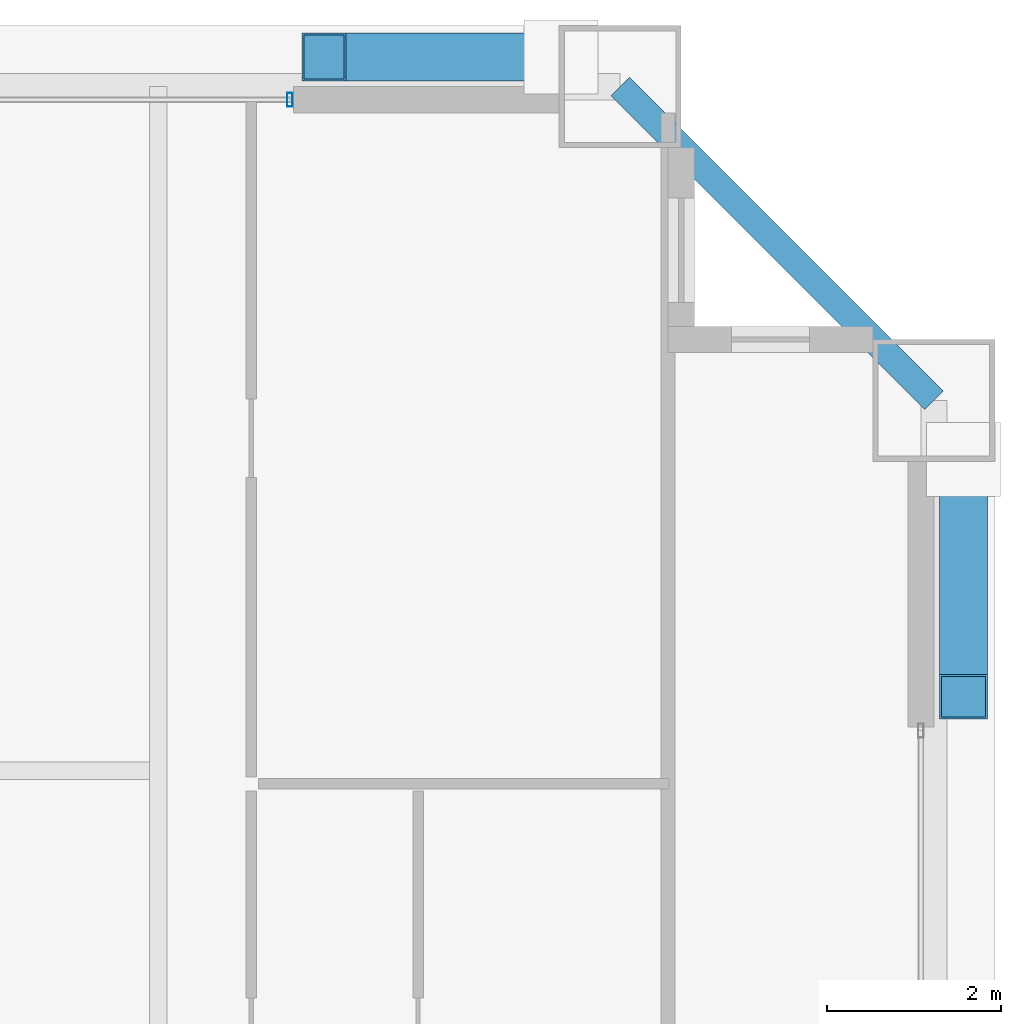
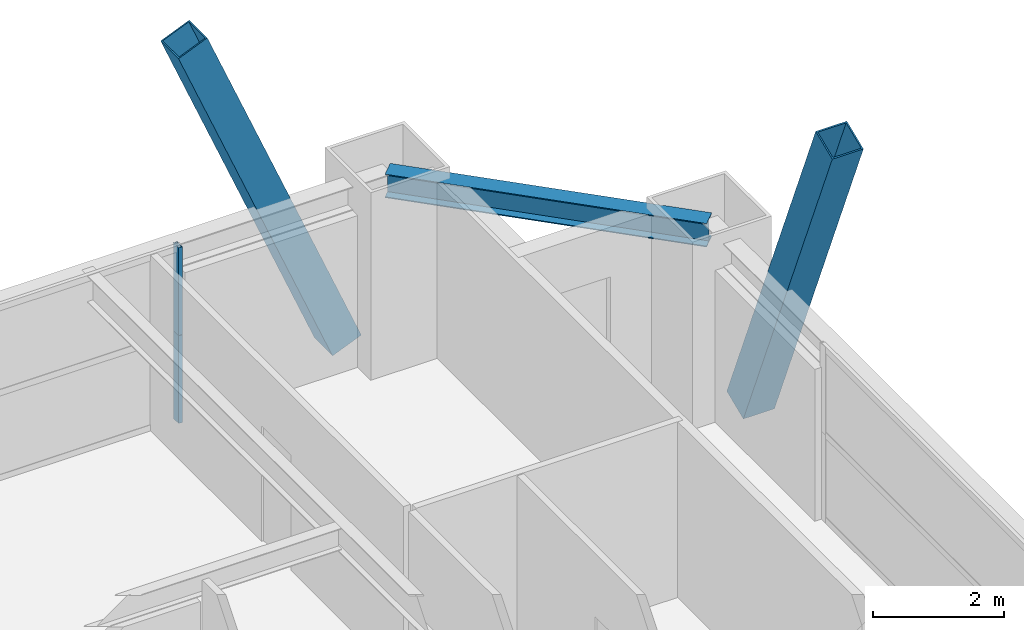
# One storey, part 35 of 42: 4 members, 1 beam, 1 element without a shape of its own.
"""IFC4 building model written with IfcOpenShell, lengths in metres."""

import ifcopenshell
import ifcopenshell.guid

model = None  # the IFC model being written
_history = None  # IfcOwnerHistory: only IFC2X3 demands one
_inside = {}  # id of a spatial element -> (the spatial element, [elements in it])
_under = {}  # id of a project, library or spatial element -> (it, [spatial elements below it])
_declared = {}  # id of a project -> (the project, [libraries it declares])
_typed = {}  # id of a type object -> (the type object, [elements of that type])
_made_of = {}  # id of a material, layer set ... -> (it, [elements and type objects made of it])


def new_model(schema):
    """Start an empty IFC model of exactly this schema.

    Asked for "IFC4X3", IfcOpenShell would pick the latest addendum, in which some entities
    have other attributes; the version numbers below select the first issue.
    IFC2X3 requires an IfcOwnerHistory on every rooted entity: one is made here for all.
    """
    global model, _history
    if schema == "IFC4X3":
        model = ifcopenshell.file(schema_version=(4, 3, 0, 0))
    else:
        model = ifcopenshell.file(schema=schema)
    _inside.clear()
    _under.clear()
    _declared.clear()
    _typed.clear()
    _made_of.clear()
    _history = None
    if model.schema == "IFC2X3":
        org = make("IfcOrganization", Name="unknown")
        user = make(
            "IfcPersonAndOrganization",
            ThePerson=make("IfcPerson", FamilyName="unknown"),
            TheOrganization=org,
        )
        app = make(
            "IfcApplication",
            ApplicationDeveloper=org,
            Version="unknown",
            ApplicationFullName="unknown",
            ApplicationIdentifier="unknown",
        )
        _history = make(
            "IfcOwnerHistory",
            OwningUser=user,
            OwningApplication=app,
            ChangeAction="ADDED",
            CreationDate=0,
        )
    return model


def make(cls, **values):
    """One entity of the class cls with the attributes given. An attribute that is None is left unset."""
    return model.create_entity(
        cls, **{name: value for name, value in values.items() if value is not None}
    )


def rooted(cls, **values):
    """An entity with a GlobalId (a new one), such as an element, a storey or a relation."""
    return make(cls, GlobalId=ifcopenshell.guid.new(), OwnerHistory=_history, **values)


def si_unit(unit_type, name, prefix=None):
    """IfcSIUnit, for example si_unit("LENGTHUNIT", "METRE", prefix="MILLI")."""
    return make("IfcSIUnit", UnitType=unit_type, Prefix=prefix, Name=name)


def assignment(units):
    """IfcUnitAssignment: the units of a project."""
    return None if units is None else make("IfcUnitAssignment", Units=units)


def point(xyz):
    """IfcCartesianPoint."""
    return None if xyz is None else make("IfcCartesianPoint", Coordinates=xyz)


def direction(xyz):
    """IfcDirection."""
    return None if xyz is None else make("IfcDirection", DirectionRatios=xyz)


def frame(location, z_axis=None, x_axis=None):
    """IfcAxis2Placement3D, a coordinate frame: its origin and axes. An axis left out is left unset."""
    return make(
        "IfcAxis2Placement3D",
        Location=point(location),
        Axis=direction(z_axis),
        RefDirection=direction(x_axis),
    )


def frame_2d(location, x_axis=None):
    """IfcAxis2Placement2D, a coordinate frame in the plane: its origin and x axis."""
    return make(
        "IfcAxis2Placement2D", Location=point(location), RefDirection=direction(x_axis)
    )


def origin():
    """The frame at (0, 0, 0) with its axes left unset."""
    return frame((0.0, 0.0, 0.0))


def origin_2d():
    """The frame at (0, 0) in the plane with its x axis left unset."""
    return frame_2d((0.0, 0.0))


def place(relative_to, where):
    """IfcLocalPlacement: puts the frame where relative to a parent placement (None: the world)."""
    return make(
        "IfcLocalPlacement", PlacementRelTo=relative_to, RelativePlacement=where
    )


def context(
    kind, dimensions, precision=None, world=None, true_north=None, identifier=None
):
    """IfcGeometricRepresentationContext, for example the 3D "Model" context."""
    return make(
        "IfcGeometricRepresentationContext",
        ContextIdentifier=identifier,
        ContextType=kind,
        CoordinateSpaceDimension=dimensions,
        Precision=precision,
        WorldCoordinateSystem=world,
        TrueNorth=true_north,
    )


def subcontext(parent, identifier, kind, view, scale=None):
    """IfcGeometricRepresentationSubContext, for example "Body" below "Model"."""
    return make(
        "IfcGeometricRepresentationSubContext",
        ContextIdentifier=identifier,
        ContextType=kind,
        ParentContext=parent,
        TargetScale=scale,
        TargetView=view,
    )


def project(units=None, contexts=None):
    """IfcProject with its units and contexts."""
    return rooted(
        "IfcProject",
        Name="project",
        RepresentationContexts=contexts,
        UnitsInContext=assignment(units),
    )


def spatial(cls, under=None, at=None, **own):
    """A site, building, storey or space (cls), placed at a placement, below another one or the project."""
    s = rooted(cls, ObjectPlacement=at, **own)
    if under is not None:
        _under.setdefault(under.id(), (under, []))[1].append(s)
    return s


def profile(cls, at=None, kind="AREA", **sizes):
    """A parametric profile (cls). Its sizes go by their IFC names, for example OverallWidth=200.0."""
    return make(cls, ProfileType=kind, Position=at, **sizes)


def hollow_rectangle(**sizes):
    """IfcRectangleHollowProfileDef."""
    return profile("IfcRectangleHollowProfileDef", **sizes)


def i_section(**sizes):
    """IfcIShapeProfileDef."""
    return profile("IfcIShapeProfileDef", **sizes)


def extrude(swept, where, along, depth):
    """IfcExtrudedAreaSolid: the profile swept, set in the frame where, extruded along a direction by depth."""
    return make(
        "IfcExtrudedAreaSolid",
        SweptArea=swept,
        Position=where,
        ExtrudedDirection=direction(along),
        Depth=depth,
    )


def shape(context_of_items, identifier, shape_type, items):
    """IfcShapeRepresentation: the items that make up one representation, for example the "Body"."""
    return make(
        "IfcShapeRepresentation",
        ContextOfItems=context_of_items,
        RepresentationIdentifier=identifier,
        RepresentationType=shape_type,
        Items=items,
    )


def source(mapping_origin, context_of_items, identifier, shape_type, items):
    """IfcRepresentationMap: a shape defined once, which mapped items show again and again."""
    return make(
        "IfcRepresentationMap",
        MappingOrigin=mapping_origin,
        MappedRepresentation=shape(context_of_items, identifier, shape_type, items),
    )


def transform(
    local_origin,
    x_axis=None,
    y_axis=None,
    z_axis=None,
    scale=None,
    scale2=None,
    scale3=None,
    uniform=True,
):
    """IfcCartesianTransformationOperator3D, or its non-uniform kind. x_axis, y_axis, z_axis: its Axis1, 2, 3."""
    if uniform:
        return make(
            "IfcCartesianTransformationOperator3D",
            Axis1=direction(x_axis),
            Axis2=direction(y_axis),
            LocalOrigin=point(local_origin),
            Scale=scale,
            Axis3=direction(z_axis),
        )
    return make(
        "IfcCartesianTransformationOperator3DnonUniform",
        Axis1=direction(x_axis),
        Axis2=direction(y_axis),
        LocalOrigin=point(local_origin),
        Scale=scale,
        Axis3=direction(z_axis),
        Scale2=scale2,
        Scale3=scale3,
    )


def mapped(mapping_source, mapping_target):
    """IfcMappedItem: shows the shape of a source again, moved by a transform."""
    return make(
        "IfcMappedItem", MappingSource=mapping_source, MappingTarget=mapping_target
    )


def material(Name=None, Category=None):
    """IfcMaterial."""
    return make("IfcMaterial", Name=Name, Category=Category)


def layer(
    of_material, thickness, ventilated=None, Name=None, Category=None, Priority=None
):
    """IfcMaterialLayer: one layer of a wall or slab, of a material (None: an air gap)."""
    return make(
        "IfcMaterialLayer",
        Material=of_material,
        LayerThickness=thickness,
        IsVentilated=ventilated,
        Name=Name,
        Category=Category,
        Priority=Priority,
    )


def layer_set(layers, Name=None):
    """IfcMaterialLayerSet."""
    return make("IfcMaterialLayerSet", MaterialLayers=layers, LayerSetName=Name)


def material_profile(
    of_material, cross_section, Name=None, Category=None, Priority=None
):
    """IfcMaterialProfile: a cross section and its material."""
    return make(
        "IfcMaterialProfile",
        Name=Name,
        Material=of_material,
        Profile=cross_section,
        Priority=Priority,
        Category=Category,
    )


def profile_set(profiles, Name=None, composite=None):
    """IfcMaterialProfileSet."""
    return make(
        "IfcMaterialProfileSet",
        Name=Name,
        MaterialProfiles=profiles,
        CompositeProfile=composite,
    )


def made_of(thing, what):
    """Note that an element or type object is made of a material, layer set ...; save() writes the relation."""
    if what is not None:
        _made_of.setdefault(what.id(), (what, []))[1].append(thing)
    return thing


def type_object(cls, material=None, **own):
    """A type object (cls), such as IfcWallType, which elements share."""
    return made_of(rooted(cls, **own), material)


def element(
    cls,
    number,
    at=None,
    inside=None,
    cuts=None,
    type_object=None,
    material=None,
    context=None,
    identifier="Body",
    shape_type=None,
    held_by="IfcProductDefinitionShape",
    body=None,
    shapes=None,
    **own,
):
    """One element of the class cls, such as IfcWall. Its Tag is "e" and its number.

    at: its placement. inside: the storey or other place that contains it. cuts: it is an
    opening in that element (IfcRelVoidsElement). A single representation is given by context,
    identifier, shape_type and body (its items); several are given by shapes. held_by: the class
    of the entity that holds the representations. save() writes the other relations.
    """
    e = rooted(cls, Tag="e%d" % number, ObjectPlacement=at, **own)
    if body is not None:
        shapes = [shape(context, identifier, shape_type, body)]
    if shapes is not None:
        e.Representation = make(held_by, Representations=shapes)
    if inside is not None:
        _inside.setdefault(inside.id(), (inside, []))[1].append(e)
    if cuts is not None:
        rooted(
            "IfcRelVoidsElement", RelatingBuildingElement=cuts, RelatedOpeningElement=e
        )
    if type_object is not None:
        _typed.setdefault(type_object.id(), (type_object, []))[1].append(e)
    return made_of(e, material)


def aggregate(whole, parts):
    """IfcRelAggregates: a whole, such as a stair, and the parts it consists of."""
    return rooted("IfcRelAggregates", RelatingObject=whole, RelatedObjects=parts)


def save(model, path):
    """Write the relations noted so far, then the file.

    IfcRelAggregates (storeys below a building ...), IfcRelContainedInSpatialStructure (elements
    in a storey), IfcRelDefinesByType, IfcRelAssociatesMaterial and IfcRelDeclares: one each for
    every whole, place, type object, material and project.
    """
    for whole, parts in _under.values():
        aggregate(whole, parts)
    for where, things in _inside.values():
        rooted(
            "IfcRelContainedInSpatialStructure",
            RelatedElements=things,
            RelatingStructure=where,
        )
    for kind, things in _typed.values():
        rooted("IfcRelDefinesByType", RelatedObjects=things, RelatingType=kind)
    for what, things in _made_of.values():
        rooted("IfcRelAssociatesMaterial", RelatedObjects=things, RelatingMaterial=what)
    for by, libraries in _declared.values():
        rooted("IfcRelDeclares", RelatingContext=by, RelatedDefinitions=libraries)
    model.write(path)


model = new_model("IFC4")

# Units and contexts
model_context = context("Model", 3, precision=1e-05, world=origin(), true_north=direction((0.0, 1.0)))
body_context = subcontext(model_context, "Body", "Model", "MODEL_VIEW")
ifc_project = project(units=[si_unit("LENGTHUNIT", "METRE"), si_unit("AREAUNIT", "SQUARE_METRE"), si_unit("VOLUMEUNIT", "CUBIC_METRE"), si_unit("PLANEANGLEUNIT", "RADIAN"), si_unit("MASSUNIT", "GRAM", prefix="KILO"), si_unit("THERMODYNAMICTEMPERATUREUNIT", "KELVIN"), si_unit("POWERUNIT", "WATT")], contexts=[model_context])

# Site, building, storey
site_placement = place(None, origin())
site = spatial("IfcSite", under=ifc_project, at=site_placement, CompositionType="ELEMENT")
building_placement = place(site_placement, origin())
building = spatial("IfcBuilding", under=site, at=building_placement, Name="Yuzanri Waterfront Tower", CompositionType="ELEMENT")
storey_placement = place(building_placement, frame((0.0, 0.0, 205.5)))
storey = spatial("IfcBuildingStorey", under=building, at=storey_placement, Name="L54", CompositionType="ELEMENT", Elevation=205.5)

# Beam
ifc_material_1 = material(Name="Steel Q355B", Category="steel")
ifc_material_profile_1 = material_profile(ifc_material_1, i_section(OverallWidth=0.300048828125, OverallDepth=0.43994140625, WebThickness=0.010986328125, FlangeThickness=0.01806640625, at=origin_2d()), Name="HM 440x300x11x18")
ifc_profile_set_1 = profile_set([ifc_material_profile_1], Name="Steel Q355B")
beam_type = type_object("IfcBeamType", Name="Perimeter Spandrel Q355B HM 440x300", PredefinedType="SPANDREL", material=ifc_profile_set_1)
shared_shape_1 = source(origin(), body_context, "Body", "SweptSolid", [
    extrude(i_section(OverallWidth=0.300048828125, OverallDepth=0.43994140625, WebThickness=0.010986328125, FlangeThickness=0.01806640625, at=origin_2d()), origin(), (0.0, 0.0, 1.0), 5.091064453125),
])
beam_placement = place(storey_placement, frame((59.10009765625, 44.300048828125, 3.06005859375), z_axis=(-0.707130757816, 0.707082803744, 0.0), x_axis=(-0.707082803744, -0.707130757816, 0.0)))
element("IfcBeam", 1, at=beam_placement, inside=storey, type_object=beam_type, Name="L54 Perimeter Spandrel E3-N3", PredefinedType="SPANDREL", context=body_context, shape_type="MappedRepresentation", body=[
    mapped(shared_shape_1, transform((0.0, 0.0, 0.0), scale=1.0)),
])

# Members
ifc_material_2 = material(Name="Steel Q390GJC", Category="steel")
ifc_material_profile_2 = material_profile(ifc_material_2, hollow_rectangle(XDim=0.550048828125, YDim=0.550048828125, WallThickness=0.02490234375, at=origin_2d()), Name="RHS 550x550x25")
ifc_profile_set_2 = profile_set([ifc_material_profile_2], Name="Steel Q390GJC")
member_type_1 = type_object("IfcMemberType", Name="Mega Brace Mid Q390GJC RHS 550x550x25", PredefinedType="BRACE", material=ifc_profile_set_2)
shared_shape_2 = source(origin(), body_context, "Body", "SweptSolid", [
    extrude(hollow_rectangle(XDim=0.550048828125, YDim=0.550048828125, WallThickness=0.02490234375, at=origin_2d()), origin(), (0.0, 0.0, 1.0), 7.046142578125),
])
for number, where, z_axis, x_axis, name in (
    (2, (54.820068359375, 48.239990234375, 0.179931640625), (-0.386022211732, 0.0, 0.922489486146), (0.0, -1.0, 0.0), "L54-L55 Perimeter Mega-Brace N-R"),
    (3, (59.43994140625, 43.6201171875, 0.179931640625), (0.0, -0.386051696808, 0.922477147355), (1.0, 0.0, 0.0), "L54-L55 Perimeter Mega-Brace E-R"),
):
    element("IfcMember", number, at=place(storey_placement, frame(where, z_axis=z_axis, x_axis=x_axis)), inside=storey, type_object=member_type_1, Name=name, PredefinedType="BRACE", context=body_context, shape_type="MappedRepresentation", body=[
        mapped(shared_shape_2, transform((0.0, 0.0, 0.0), scale=1.0)),
    ])

# Curtain wall, members
ifc_material_3 = material(Name="Anodized Architectural Bronze", Category="metal")
ifc_layer = layer(ifc_material_3, 0.159912109375)
ifc_layer_set = layer_set([ifc_layer], Name="Anodized Architectural Bronze")
curtain_wall_type = type_object("IfcCurtainWallType", Name="Anodized Bronze Mid-Rise Residential Acoustic Unitized Curtain Wall 7200", PredefinedType="NOTDEFINED", material=ifc_layer_set)
curtain_wall_placement = place(storey_placement, origin())
curtain_wall = element("IfcCurtainWall", 4, at=curtain_wall_placement, inside=storey, type_object=curtain_wall_type, Name="L54 Curtain Wall CW-L54-NR", PredefinedType="NOTDEFINED")
ifc_material_4 = material(Name="Anodized Architectural Bronze", Category="metal")
ifc_material_profile_3 = material_profile(ifc_material_4, hollow_rectangle(XDim=0.06494140625, YDim=0.159912109375, WallThickness=0.00341796875, at=origin_2d()), Name="CWM 65x160")
ifc_profile_set_3 = profile_set([ifc_material_profile_3], Name="Anodized Architectural Bronze")
member_type_2 = type_object("IfcMemberType", Name="Anodized Bronze Upper-Zone Curtain-Wall Mullion 65x160", PredefinedType="MULLION", material=ifc_profile_set_3)
shared_shape_3 = source(origin(), body_context, "Body", "SweptSolid", [
    extrude(hollow_rectangle(XDim=0.06494140625, YDim=0.159912109375, WallThickness=0.00341796875, at=origin_2d()), origin(), (0.0, 0.0, 1.0), 1.637939453125),
])
member_1_placement = place(storey_placement, frame((51.7099609375, 47.75, 0.0), z_axis=(0.0, 0.0, 1.0), x_axis=(1.0, 0.0, 0.0)))
member_1 = element("IfcMember", 5, at=member_1_placement, type_object=member_type_2, Name="CW-L54-NR Lower Mullion 02", PredefinedType="MULLION", context=body_context, shape_type="MappedRepresentation", body=[
    mapped(shared_shape_3, transform((0.0, 0.0, 0.0), scale=1.0)),
])
member_2_placement = place(storey_placement, frame((51.7099609375, 47.75, 1.64208984375), z_axis=(0.0, 0.0, 1.0), x_axis=(1.0, 0.0, 0.0)))
member_2 = element("IfcMember", 6, at=member_2_placement, type_object=member_type_2, Name="CW-L54-NR Upper Mullion 02", PredefinedType="MULLION", context=body_context, shape_type="MappedRepresentation", body=[
    mapped(shared_shape_3, transform((0.0, 0.0, 0.0), scale=1.0)),
])
aggregate(curtain_wall, [member_1, member_2])

save(model, "model.ifc")
